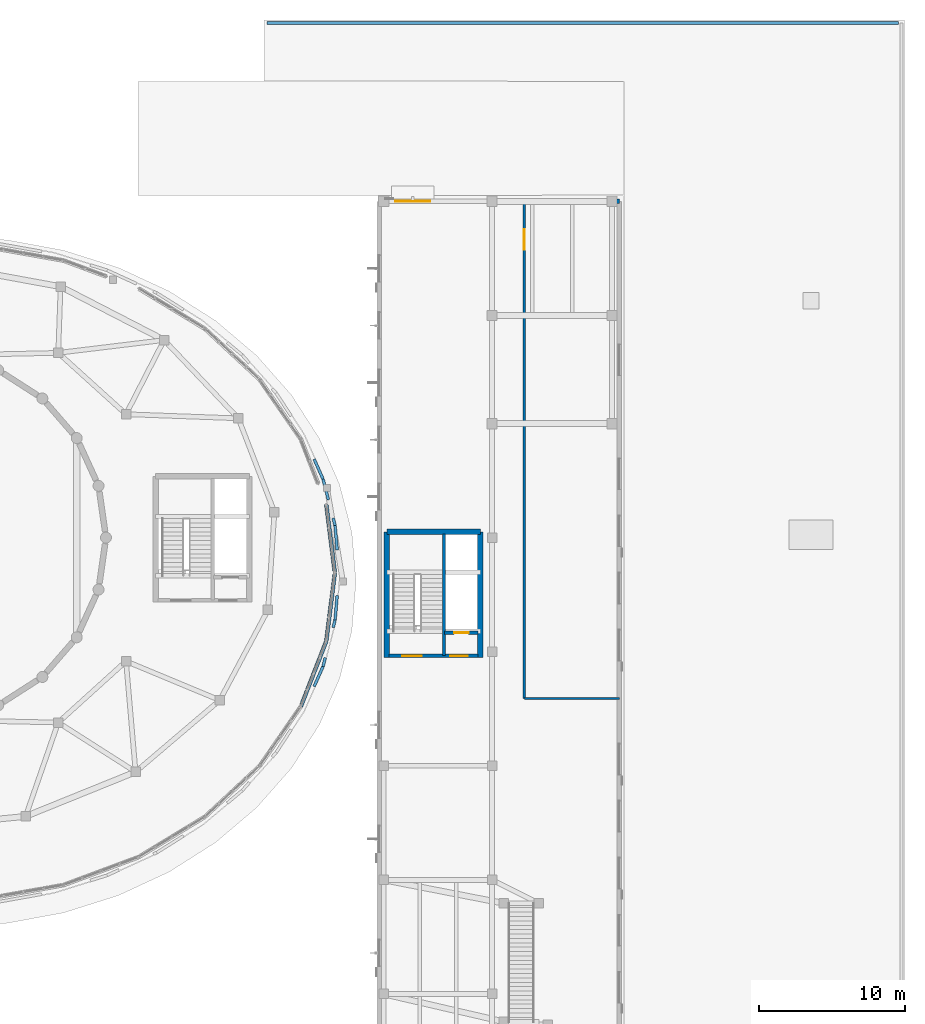
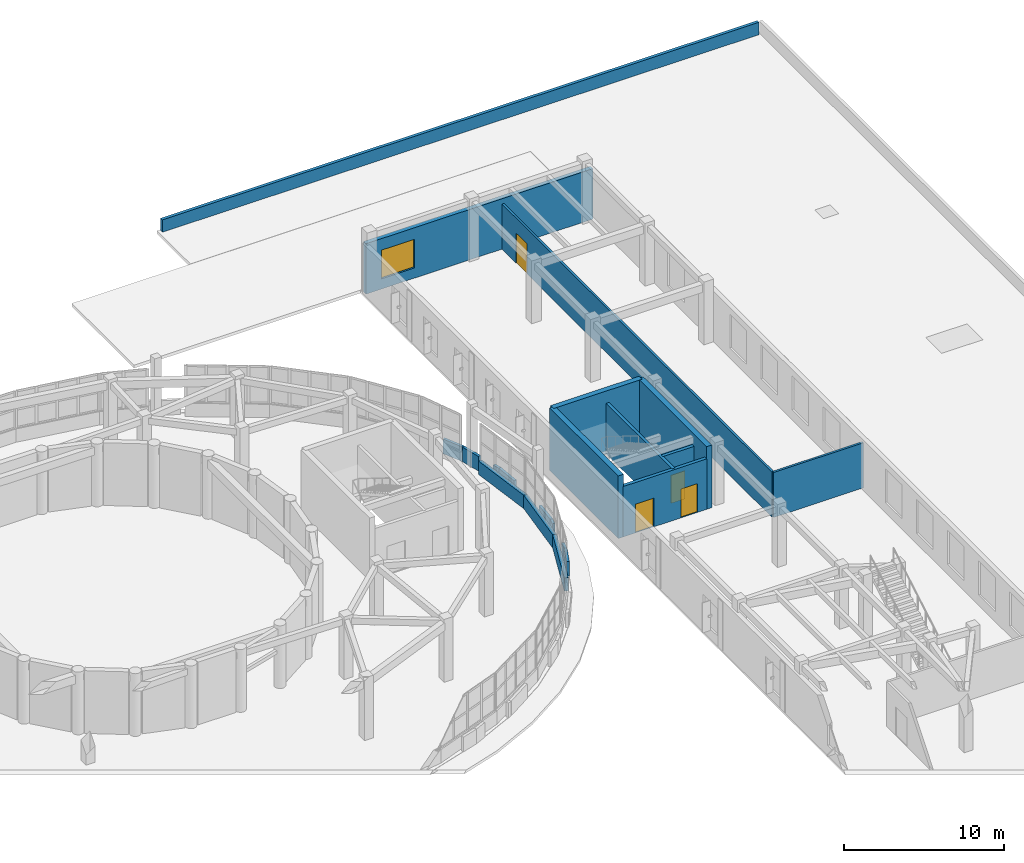
# One storey, part 96 of 105: 21 walls, 4 doors, 1 window, 5 openings.
"""IFC4 building model written with IfcOpenShell, lengths in metres."""

import ifcopenshell
import ifcopenshell.guid

model = None  # the IFC model being written
_history = None  # IfcOwnerHistory: only IFC2X3 demands one
_inside = {}  # id of a spatial element -> (the spatial element, [elements in it])
_under = {}  # id of a project, library or spatial element -> (it, [spatial elements below it])
_declared = {}  # id of a project -> (the project, [libraries it declares])
_typed = {}  # id of a type object -> (the type object, [elements of that type])
_made_of = {}  # id of a material, layer set ... -> (it, [elements and type objects made of it])


def new_model(schema):
    """Start an empty IFC model of exactly this schema.

    Asked for "IFC4X3", IfcOpenShell would pick the latest addendum, in which some entities
    have other attributes; the version numbers below select the first issue.
    IFC2X3 requires an IfcOwnerHistory on every rooted entity: one is made here for all.
    """
    global model, _history
    if schema == "IFC4X3":
        model = ifcopenshell.file(schema_version=(4, 3, 0, 0))
    else:
        model = ifcopenshell.file(schema=schema)
    _inside.clear()
    _under.clear()
    _declared.clear()
    _typed.clear()
    _made_of.clear()
    _history = None
    if model.schema == "IFC2X3":
        org = make("IfcOrganization", Name="unknown")
        user = make(
            "IfcPersonAndOrganization",
            ThePerson=make("IfcPerson", FamilyName="unknown"),
            TheOrganization=org,
        )
        app = make(
            "IfcApplication",
            ApplicationDeveloper=org,
            Version="unknown",
            ApplicationFullName="unknown",
            ApplicationIdentifier="unknown",
        )
        _history = make(
            "IfcOwnerHistory",
            OwningUser=user,
            OwningApplication=app,
            ChangeAction="ADDED",
            CreationDate=0,
        )
    return model


def make(cls, **values):
    """One entity of the class cls with the attributes given. An attribute that is None is left unset."""
    return model.create_entity(
        cls, **{name: value for name, value in values.items() if value is not None}
    )


def rooted(cls, **values):
    """An entity with a GlobalId (a new one), such as an element, a storey or a relation."""
    return make(cls, GlobalId=ifcopenshell.guid.new(), OwnerHistory=_history, **values)


def si_unit(unit_type, name, prefix=None):
    """IfcSIUnit, for example si_unit("LENGTHUNIT", "METRE", prefix="MILLI")."""
    return make("IfcSIUnit", UnitType=unit_type, Prefix=prefix, Name=name)


def assignment(units):
    """IfcUnitAssignment: the units of a project."""
    return None if units is None else make("IfcUnitAssignment", Units=units)


def point(xyz):
    """IfcCartesianPoint."""
    return None if xyz is None else make("IfcCartesianPoint", Coordinates=xyz)


def direction(xyz):
    """IfcDirection."""
    return None if xyz is None else make("IfcDirection", DirectionRatios=xyz)


def frame(location, z_axis=None, x_axis=None):
    """IfcAxis2Placement3D, a coordinate frame: its origin and axes. An axis left out is left unset."""
    return make(
        "IfcAxis2Placement3D",
        Location=point(location),
        Axis=direction(z_axis),
        RefDirection=direction(x_axis),
    )


def frame_2d(location, x_axis=None):
    """IfcAxis2Placement2D, a coordinate frame in the plane: its origin and x axis."""
    return make(
        "IfcAxis2Placement2D", Location=point(location), RefDirection=direction(x_axis)
    )


def origin():
    """The frame at (0, 0, 0) with its axes left unset."""
    return frame((0.0, 0.0, 0.0))


def place(relative_to, where):
    """IfcLocalPlacement: puts the frame where relative to a parent placement (None: the world)."""
    return make(
        "IfcLocalPlacement", PlacementRelTo=relative_to, RelativePlacement=where
    )


def context(
    kind, dimensions, precision=None, world=None, true_north=None, identifier=None
):
    """IfcGeometricRepresentationContext, for example the 3D "Model" context."""
    return make(
        "IfcGeometricRepresentationContext",
        ContextIdentifier=identifier,
        ContextType=kind,
        CoordinateSpaceDimension=dimensions,
        Precision=precision,
        WorldCoordinateSystem=world,
        TrueNorth=true_north,
    )


def subcontext(parent, identifier, kind, view, scale=None):
    """IfcGeometricRepresentationSubContext, for example "Body" below "Model"."""
    return make(
        "IfcGeometricRepresentationSubContext",
        ContextIdentifier=identifier,
        ContextType=kind,
        ParentContext=parent,
        TargetScale=scale,
        TargetView=view,
    )


def project(units=None, contexts=None):
    """IfcProject with its units and contexts."""
    return rooted(
        "IfcProject",
        Name="project",
        RepresentationContexts=contexts,
        UnitsInContext=assignment(units),
    )


def spatial(cls, under=None, at=None, **own):
    """A site, building, storey or space (cls), placed at a placement, below another one or the project."""
    s = rooted(cls, ObjectPlacement=at, **own)
    if under is not None:
        _under.setdefault(under.id(), (under, []))[1].append(s)
    return s


def profile(cls, at=None, kind="AREA", **sizes):
    """A parametric profile (cls). Its sizes go by their IFC names, for example OverallWidth=200.0."""
    return make(cls, ProfileType=kind, Position=at, **sizes)


def rectangle(**sizes):
    """IfcRectangleProfileDef."""
    return profile("IfcRectangleProfileDef", **sizes)


def extrude(swept, where, along, depth):
    """IfcExtrudedAreaSolid: the profile swept, set in the frame where, extruded along a direction by depth."""
    return make(
        "IfcExtrudedAreaSolid",
        SweptArea=swept,
        Position=where,
        ExtrudedDirection=direction(along),
        Depth=depth,
    )


def shape(context_of_items, identifier, shape_type, items):
    """IfcShapeRepresentation: the items that make up one representation, for example the "Body"."""
    return make(
        "IfcShapeRepresentation",
        ContextOfItems=context_of_items,
        RepresentationIdentifier=identifier,
        RepresentationType=shape_type,
        Items=items,
    )


def material(Name=None, Category=None):
    """IfcMaterial."""
    return make("IfcMaterial", Name=Name, Category=Category)


def layer(
    of_material, thickness, ventilated=None, Name=None, Category=None, Priority=None
):
    """IfcMaterialLayer: one layer of a wall or slab, of a material (None: an air gap)."""
    return make(
        "IfcMaterialLayer",
        Material=of_material,
        LayerThickness=thickness,
        IsVentilated=ventilated,
        Name=Name,
        Category=Category,
        Priority=Priority,
    )


def layer_set(layers, Name=None):
    """IfcMaterialLayerSet."""
    return make("IfcMaterialLayerSet", MaterialLayers=layers, LayerSetName=Name)


def made_of(thing, what):
    """Note that an element or type object is made of a material, layer set ...; save() writes the relation."""
    if what is not None:
        _made_of.setdefault(what.id(), (what, []))[1].append(thing)
    return thing


def type_object(cls, material=None, **own):
    """A type object (cls), such as IfcWallType, which elements share."""
    return made_of(rooted(cls, **own), material)


def element(
    cls,
    number,
    at=None,
    inside=None,
    cuts=None,
    type_object=None,
    material=None,
    context=None,
    identifier="Body",
    shape_type=None,
    held_by="IfcProductDefinitionShape",
    body=None,
    shapes=None,
    **own,
):
    """One element of the class cls, such as IfcWall. Its Tag is "e" and its number.

    at: its placement. inside: the storey or other place that contains it. cuts: it is an
    opening in that element (IfcRelVoidsElement). A single representation is given by context,
    identifier, shape_type and body (its items); several are given by shapes. held_by: the class
    of the entity that holds the representations. save() writes the other relations.
    """
    e = rooted(cls, Tag="e%d" % number, ObjectPlacement=at, **own)
    if body is not None:
        shapes = [shape(context, identifier, shape_type, body)]
    if shapes is not None:
        e.Representation = make(held_by, Representations=shapes)
    if inside is not None:
        _inside.setdefault(inside.id(), (inside, []))[1].append(e)
    if cuts is not None:
        rooted(
            "IfcRelVoidsElement", RelatingBuildingElement=cuts, RelatedOpeningElement=e
        )
    if type_object is not None:
        _typed.setdefault(type_object.id(), (type_object, []))[1].append(e)
    return made_of(e, material)


def fill(opening, filler):
    """IfcRelFillsElement: the door or window that sits in an opening."""
    return rooted(
        "IfcRelFillsElement",
        RelatingOpeningElement=opening,
        RelatedBuildingElement=filler,
    )


def aggregate(whole, parts):
    """IfcRelAggregates: a whole, such as a stair, and the parts it consists of."""
    return rooted("IfcRelAggregates", RelatingObject=whole, RelatedObjects=parts)


def save(model, path):
    """Write the relations noted so far, then the file.

    IfcRelAggregates (storeys below a building ...), IfcRelContainedInSpatialStructure (elements
    in a storey), IfcRelDefinesByType, IfcRelAssociatesMaterial and IfcRelDeclares: one each for
    every whole, place, type object, material and project.
    """
    for whole, parts in _under.values():
        aggregate(whole, parts)
    for where, things in _inside.values():
        rooted(
            "IfcRelContainedInSpatialStructure",
            RelatedElements=things,
            RelatingStructure=where,
        )
    for kind, things in _typed.values():
        rooted("IfcRelDefinesByType", RelatedObjects=things, RelatingType=kind)
    for what, things in _made_of.values():
        rooted("IfcRelAssociatesMaterial", RelatedObjects=things, RelatingMaterial=what)
    for by, libraries in _declared.values():
        rooted("IfcRelDeclares", RelatingContext=by, RelatedDefinitions=libraries)
    model.write(path)


model = new_model("IFC4")

# Units and contexts
model_context = context("Model", 3, precision=1e-05, world=origin(), true_north=direction((0.0, 1.0)))
body_context = subcontext(model_context, "Body", "Model", "MODEL_VIEW")
ifc_project = project(units=[si_unit("LENGTHUNIT", "METRE"), si_unit("AREAUNIT", "SQUARE_METRE"), si_unit("VOLUMEUNIT", "CUBIC_METRE"), si_unit("PLANEANGLEUNIT", "RADIAN"), si_unit("MASSUNIT", "GRAM", prefix="KILO")], contexts=[model_context])

# Site, building, storey
site_placement = place(None, origin())
site = spatial("IfcSite", under=ifc_project, at=site_placement, CompositionType="ELEMENT")
building_placement = place(site_placement, origin())
building = spatial("IfcBuilding", under=site, at=building_placement, Name="Pelvatis Terrace Science Centre", CompositionType="ELEMENT")
storey_placement = place(building_placement, frame((0.0, 0.0, 10.199951171875)))
storey = spatial("IfcBuildingStorey", under=building, at=storey_placement, Name="L02", CompositionType="ELEMENT", Elevation=10.199951171875)

# Wall, opening, window
ifc_material_1 = material(Name="Precast concrete C35/45 architectural stone", Category="masonry")
ifc_layer_1 = layer(ifc_material_1, 0.31005859375)
ifc_layer_set_1 = layer_set([ifc_layer_1], Name="Precast concrete C35/45 architectural stone")
wall_type_1 = type_object("IfcWallType", Name="WL-EXT-PREC-310", PredefinedType="SOLIDWALL", material=ifc_layer_set_1)
wall_1_placement = place(storey_placement, frame((140.47998046875, 108.800048828125, 0.0), z_axis=(0.0, 0.0, 1.0), x_axis=(1.0, 0.0, 0.0)))
wall_1 = element("IfcWall", 1, at=wall_1_placement, inside=storey, type_object=wall_type_1, Name="Exterior classical Art Deco facade wall EW-L02-N", PredefinedType="SOLIDWALL", context=body_context, shape_type="SweptSolid", body=[
    extrude(rectangle(XDim=16.419921875, YDim=0.31005859375, at=frame_2d((8.2099609375, 0.0))), origin(), (0.0, 0.0, 1.0), 3.860107421875),
])
opening_1_placement = place(wall_1_placement, frame((1.10009765625, 0.0, 0.780029296875)))
opening_1 = element("IfcOpeningElement", 2, at=opening_1_placement, cuts=wall_1, Name="Opening W-084", PredefinedType="OPENING", context=body_context, shape_type="SweptSolid", body=[
    extrude(rectangle(XDim=2.39990234375, YDim=2.199951171875, at=frame_2d((1.199951171875, 1.10009765625))), frame((0.0, 0.1650390625, 0.0), z_axis=(0.0, -1.0, 0.0), x_axis=(1.0, 0.0, 0.0)), (0.0, 0.0, 1.0), 0.330078125),
])
ifc_material_2 = material(Name="Bronze-anodised aluminium and laminated low-e glass", Category="aluminium")
window_type = type_object("IfcWindowType", Name="WIN-GAL-2400x2200", PartitioningType="SINGLE_PANEL", PredefinedType="WINDOW", material=ifc_material_2)
window_placement = place(opening_1_placement, origin())
window = element("IfcWindow", 3, at=window_placement, inside=storey, type_object=window_type, Name="Art Deco facade window W-084 (L02)", OverallHeight=2.199951171875, OverallWidth=2.39990234375, PartitioningType="SINGLE_PANEL", PredefinedType="WINDOW", context=body_context, shape_type="SweptSolid", body=[
    extrude(rectangle(XDim=2.39990234375, YDim=2.199951171875, at=frame_2d((1.199951171875, 1.10009765625))), frame((0.0, 0.030029296875, 0.0), z_axis=(0.0, -1.0, 0.0), x_axis=(1.0, 0.0, 0.0)), (0.0, 0.0, 1.0), 0.06005859375),
])
fill(opening_1, window)

# Walls
ifc_material_3 = material(Name="White architectural precast concrete C40/50 spandrel", Category="concrete")
ifc_layer_2 = layer(ifc_material_3, 0.260009765625)
ifc_layer_set_2 = layer_set([ifc_layer_2], Name="White architectural precast concrete C40/50 spandrel")
wall_type_2 = type_object("IfcWallType", Name="WL-EXT-SPND-260", PredefinedType="SOLIDWALL", material=ifc_layer_set_2)
wall_2_placement = place(storey_placement, frame((137.449951171875, 83.39990234375, 0.0), z_axis=(0.0, 0.0, 1.0), x_axis=(-0.124705358335, 0.992193818567, 0.0)))
element("IfcWall", 4, at=wall_2_placement, inside=storey, type_object=wall_type_2, Name="V1 white spiral spandrel band 01 (L02)", PredefinedType="SOLIDWALL", context=body_context, shape_type="SweptSolid", body=[
    extrude(rectangle(XDim=4.704345703125, YDim=0.260009765625, at=frame_2d((2.35205078125, 0.0))), origin(), (0.0, 0.0, 1.0), 1.02001953125),
])
wall_3_placement = place(storey_placement, frame((135.128662109375, 74.268798828125, 0.0), z_axis=(0.0, 0.0, 1.0), x_axis=(0.362222370207, 0.932091709287, 0.0)))
element("IfcWall", 5, at=wall_3_placement, inside=storey, type_object=wall_type_2, Name="V1 white spiral spandrel band 29 (L02)", PredefinedType="SOLIDWALL", context=body_context, shape_type="SweptSolid", body=[
    extrude(rectangle(XDim=4.788818359375, YDim=0.260009765625, at=frame_2d((2.39453125, 0.0))), origin(), (0.0, 0.0, 1.0), 1.02001953125),
])
wall_4_placement = place(storey_placement, frame((136.86328125, 78.732421875, 0.0), z_axis=(0.0, 0.0, 1.0), x_axis=(0.124711779816, 0.992193011452, 0.0)))
element("IfcWall", 6, at=wall_4_placement, inside=storey, type_object=wall_type_2, Name="V1 white spiral spandrel band 30 (L02)", PredefinedType="SOLIDWALL", context=body_context, shape_type="SweptSolid", body=[
    extrude(rectangle(XDim=4.7041015625, YDim=0.260009765625, at=frame_2d((2.35205078125, 0.0))), origin(), (0.0, 0.0, 1.0), 1.02001953125),
])
ifc_material_4 = material(Name="Concrete C35/45 shaft dividing wall", Category="concrete")
ifc_layer_3 = layer(ifc_material_4, 0.2099609375)
ifc_layer_set_3 = layer_set([ifc_layer_3], Name="Concrete C35/45 shaft dividing wall")
wall_type_3 = type_object("IfcWallType", Name="WL-INT-CORE-210", PredefinedType="PARTITIONING", material=ifc_layer_set_3)
wall_5_placement = place(storey_placement, frame((144.89990234375, 77.75, 0.0), z_axis=(0.0, 0.0, 1.0), x_axis=(0.0, 1.0, 0.0)))
element("IfcWall", 7, at=wall_5_placement, inside=storey, type_object=wall_type_3, Name="Core C3 stair-lift shaft fire wall (L02)", PredefinedType="PARTITIONING", context=body_context, shape_type="SweptSolid", body=[
    extrude(rectangle(XDim=8.300048828125, YDim=0.2099609375, at=frame_2d((4.14990234375, 0.0))), origin(), (0.0, 0.0, 1.0), 3.860107421875),
])

# Wall, opening, door
ifc_material_5 = material(Name="Concrete C35/45 stair enclosure wall", Category="concrete")
ifc_layer_4 = layer(ifc_material_5, 0.22509765625)
ifc_layer_set_4 = layer_set([ifc_layer_4], Name="Concrete C35/45 stair enclosure wall")
wall_type_4 = type_object("IfcWallType", Name="WL-INT-CORE-225", PredefinedType="PARTITIONING", material=ifc_layer_set_4)
wall_6_placement = place(storey_placement, frame((144.949951171875, 79.300048828125, 0.0), z_axis=(0.0, 0.0, 1.0), x_axis=(1.0, 0.0, 0.0)))
wall_6 = element("IfcWall", 8, at=wall_6_placement, inside=storey, type_object=wall_type_4, Name="Core C3 lift shaft landing wall (L02)", PredefinedType="PARTITIONING", context=body_context, shape_type="SweptSolid", body=[
    extrude(rectangle(XDim=2.300048828125, YDim=0.22509765625, at=frame_2d((1.14990234375, 0.0))), origin(), (0.0, 0.0, 1.0), 3.860107421875),
])
opening_2_placement = place(wall_6_placement, frame((0.64990234375, 0.0, 0.0)))
opening_2 = element("IfcOpeningElement", 9, at=opening_2_placement, cuts=wall_6, Name="Opening LD-C3-4", PredefinedType="OPENING", context=body_context, shape_type="SweptSolid", body=[
    extrude(rectangle(XDim=1.0, YDim=2.14990234375, at=frame_2d((0.5, 1.074951171875))), frame((0.0, 0.12255859375, 0.0), z_axis=(0.0, -1.0, 0.0), x_axis=(1.0, 0.0, 0.0)), (0.0, 0.0, 1.0), 0.2451171875),
])
ifc_material_6 = material(Name="Bronze-clad sliding passenger lift landing door", Category="steel")
door_type_1 = type_object("IfcDoorType", Name="DR-LIFT-1000x2150", OperationType="NOTDEFINED", PredefinedType="DOOR", material=ifc_material_6)
door_1_placement = place(opening_2_placement, origin())
door_1 = element("IfcDoor", 10, at=door_1_placement, inside=storey, type_object=door_type_1, Name="Lift LF-05 sliding landing door (L02)", OperationType="SLIDING_TO_RIGHT", OverallHeight=2.14990234375, OverallWidth=1.0, PredefinedType="DOOR", context=body_context, shape_type="SweptSolid", body=[
    extrude(rectangle(XDim=1.0, YDim=2.14990234375, at=frame_2d((0.5, 1.074951171875))), frame((0.0, 0.02490234375, 0.0), z_axis=(0.0, -1.0, 0.0), x_axis=(1.0, 0.0, 0.0)), (0.0, 0.0, 1.0), 0.050048828125),
])
fill(opening_2, door_1)

# Wall, openings, doors
ifc_material_7 = material(Name="Concrete C35/45 shaft enclosure wall", Category="concrete")
ifc_layer_5 = layer(ifc_material_7, 0.239990234375)
ifc_layer_set_5 = layer_set([ifc_layer_5], Name="Concrete C35/45 shaft enclosure wall")
wall_type_5 = type_object("IfcWallType", Name="WL-INT-CORE-240", PredefinedType="PARTITIONING", material=ifc_layer_set_5)
wall_7_placement = place(storey_placement, frame((141.14990234375, 77.719970703125, 0.0), z_axis=(0.0, 0.0, 1.0), x_axis=(1.0, 0.0, 0.0)))
wall_7 = element("IfcWall", 11, at=wall_7_placement, inside=storey, type_object=wall_type_5, Name="Core C3 fire-rated lobby wall (L02)", PredefinedType="PARTITIONING", context=body_context, shape_type="SweptSolid", body=[
    extrude(rectangle(XDim=6.10009765625, YDim=0.239990234375, at=frame_2d((3.050048828125, 0.0))), origin(), (0.0, 0.0, 1.0), 3.860107421875),
])
opening_3_placement = place(wall_7_placement, frame((0.89990234375, 0.0, 0.0)))
opening_3 = element("IfcOpeningElement", 12, at=opening_3_placement, cuts=wall_7, Name="Opening D-135", PredefinedType="OPENING", context=body_context, shape_type="SweptSolid", body=[
    extrude(rectangle(XDim=1.35009765625, YDim=2.199951171875, at=frame_2d((0.675048828125, 1.10009765625))), frame((0.0, 0.1298828125, 0.0), z_axis=(0.0, -1.0, 0.0), x_axis=(1.0, 0.0, 0.0)), (0.0, 0.0, 1.0), 0.260009765625),
])
opening_4_placement = place(wall_7_placement, frame((4.199951171875, 0.0, 0.0)))
opening_4 = element("IfcOpeningElement", 13, at=opening_4_placement, cuts=wall_7, Name="Opening D-136", PredefinedType="OPENING", context=body_context, shape_type="SweptSolid", body=[
    extrude(rectangle(XDim=1.199951171875, YDim=2.199951171875, at=frame_2d((0.60009765625, 1.10009765625))), frame((0.0, 0.1298828125, 0.0), z_axis=(0.0, -1.0, 0.0), x_axis=(1.0, 0.0, 0.0)), (0.0, 0.0, 1.0), 0.260009765625),
])
ifc_material_8 = material(Name="Steel fire-rated exit stair door", Category="steel")
door_type_2 = type_object("IfcDoorType", Name="DR-STAIR-1200x2200", OperationType="NOTDEFINED", PredefinedType="DOOR", material=ifc_material_8)
door_2_placement = place(opening_4_placement, origin())
door_2 = element("IfcDoor", 14, at=door_2_placement, inside=storey, type_object=door_type_2, Name="Core C3 lift lobby fire door (L02)", OperationType="SINGLE_SWING_LEFT", OverallHeight=2.199951171875, OverallWidth=1.199951171875, PredefinedType="DOOR", context=body_context, shape_type="SweptSolid", body=[
    extrude(rectangle(XDim=1.199951171875, YDim=2.199951171875, at=frame_2d((0.60009765625, 1.10009765625))), frame((0.0, 0.02490234375, 0.0), z_axis=(0.0, -1.0, 0.0), x_axis=(1.0, 0.0, 0.0)), (0.0, 0.0, 1.0), 0.050048828125),
])
fill(opening_4, door_2)
ifc_material_9 = material(Name="Steel fire-rated protected stair door", Category="steel")
door_type_3 = type_object("IfcDoorType", Name="DR-STAIR-1350x2200", OperationType="NOTDEFINED", PredefinedType="DOOR", material=ifc_material_9)
door_3_placement = place(opening_3_placement, origin())
door_3 = element("IfcDoor", 15, at=door_3_placement, inside=storey, type_object=door_type_3, Name="Core C3 protected stair fire door (L02)", OperationType="SINGLE_SWING_RIGHT", OverallHeight=2.199951171875, OverallWidth=1.35009765625, PredefinedType="DOOR", context=body_context, shape_type="SweptSolid", body=[
    extrude(rectangle(XDim=1.35009765625, YDim=2.199951171875, at=frame_2d((0.675048828125, 1.10009765625))), frame((0.0, 0.02490234375, 0.0), z_axis=(0.0, -1.0, 0.0), x_axis=(1.0, 0.0, 0.0)), (0.0, 0.0, 1.0), 0.050048828125),
])
fill(opening_3, door_3)

# Wall
ifc_material_10 = material(Name="Exhibition gallery display partition", Category="masonry")
ifc_layer_6 = layer(ifc_material_10, 0.155029296875)
ifc_layer_set_6 = layer_set([ifc_layer_6], Name="Exhibition gallery display partition")
wall_type_6 = type_object("IfcWallType", Name="WL-INT-GAL-155", PredefinedType="PARTITIONING", material=ifc_layer_set_6)
wall_8_placement = place(storey_placement, frame((150.39990234375, 74.800048828125, 0.0), z_axis=(0.0, 0.0, 1.0), x_axis=(1.0, 0.0, 0.0)))
element("IfcWall", 16, at=wall_8_placement, inside=storey, type_object=wall_type_6, Name="Natural History Reference Library and Reading Room partition wall S", PredefinedType="PARTITIONING", context=body_context, shape_type="SweptSolid", body=[
    extrude(rectangle(XDim=6.5, YDim=0.155029296875, at=frame_2d((3.25, 0.0))), origin(), (0.0, 0.0, 1.0), 3.449951171875),
])

# Wall, opening, door
wall_9_placement = place(storey_placement, frame((150.39990234375, 108.800048828125, 0.0), z_axis=(0.0, 0.0, 1.0), x_axis=(0.0, -1.0, 0.0)))
wall_9 = element("IfcWall", 17, at=wall_9_placement, inside=storey, type_object=wall_type_6, Name="Natural History Reference Library and Reading Room partition wall W", PredefinedType="PARTITIONING", context=body_context, shape_type="SweptSolid", body=[
    extrude(rectangle(XDim=34.0, YDim=0.155029296875, at=frame_2d((17.0, 0.0))), origin(), (0.0, 0.0, 1.0), 3.449951171875),
])
opening_5_placement = place(wall_9_placement, frame((1.89990234375, 0.0, 0.0)))
opening_5 = element("IfcOpeningElement", 18, at=opening_5_placement, cuts=wall_9, Name="Opening D-208", PredefinedType="OPENING", context=body_context, shape_type="SweptSolid", body=[
    extrude(rectangle(XDim=1.39990234375, YDim=2.300048828125, at=frame_2d((0.699951171875, 1.14990234375))), frame((0.0, 0.08740234375, 0.0), z_axis=(0.0, -1.0, 0.0), x_axis=(1.0, 0.0, 0.0)), (0.0, 0.0, 1.0), 0.175048828125),
])
ifc_material_11 = material(Name="Glazed timber reference library double door", Category="wood")
door_type_4 = type_object("IfcDoorType", Name="DR-LIB-1400x2300", OperationType="NOTDEFINED", PredefinedType="DOOR", material=ifc_material_11)
door_4_placement = place(opening_5_placement, origin())
door_4 = element("IfcDoor", 19, at=door_4_placement, inside=storey, type_object=door_type_4, Name="Natural History Reference Library and Reading Room entrance door", OperationType="SINGLE_SWING_LEFT", OverallHeight=2.300048828125, OverallWidth=1.39990234375, PredefinedType="DOOR", context=body_context, shape_type="SweptSolid", body=[
    extrude(rectangle(XDim=1.39990234375, YDim=2.300048828125, at=frame_2d((0.699951171875, 1.14990234375))), frame((0.0, 0.02490234375, 0.0), z_axis=(0.0, -1.0, 0.0), x_axis=(1.0, 0.0, 0.0)), (0.0, 0.0, 1.0), 0.050048828125),
])
fill(opening_5, door_4)

# Walls
ifc_material_12 = material(Name="White architectural precast concrete C40/50 spandrel parapet", Category="concrete")
ifc_layer_7 = layer(ifc_material_12, 0.18994140625)
ifc_layer_set_7 = layer_set([ifc_layer_7], Name="White architectural precast concrete C40/50 spandrel parapet")
wall_type_7 = type_object("IfcWallType", Name="WL-PAR-190", PredefinedType="PARAPET", material=ifc_layer_set_7)
wall_10_placement = place(storey_placement, frame((136.031494140625, 91.17431640625, 0.0), z_axis=(0.0, 0.0, 1.0), x_axis=(0.406531024131, -0.913636977371, 0.0)))
element("IfcWall", 20, at=wall_10_placement, inside=storey, type_object=wall_type_7, Name="Perimeter edge closure parapet PW-EDG-L02-267", PredefinedType="PARAPET", context=body_context, shape_type="SweptSolid", body=[
    extrude(rectangle(XDim=1.500244140625, YDim=0.18994140625, at=frame_2d((0.75, 0.0))), origin(), (0.0, 0.0, 1.0), 1.1201171875),
])
wall_11_placement = place(storey_placement, frame((136.641357421875, 89.8037109375, 0.0), z_axis=(0.0, 0.0, 1.0), x_axis=(0.251228104752, -0.96792791022, 0.0)))
element("IfcWall", 21, at=wall_11_placement, inside=storey, type_object=wall_type_7, Name="Perimeter edge closure parapet PW-EDG-L02-268", PredefinedType="PARAPET", context=body_context, shape_type="SweptSolid", body=[
    extrude(rectangle(XDim=1.465576171875, YDim=0.18994140625, at=frame_2d((0.73291015625, 0.0))), origin(), (0.0, 0.0, 1.0), 1.1201171875),
])
wall_12_placement = place(storey_placement, frame((137.332763671875, 87.1396484375, 0.0), z_axis=(0.0, 0.0, 1.0), x_axis=(0.250783542322, -0.968043188551, 0.0)))
element("IfcWall", 22, at=wall_12_placement, inside=storey, type_object=wall_type_7, Name="Perimeter edge closure parapet PW-EDG-L02-269", PredefinedType="PARAPET", context=body_context, shape_type="SweptSolid", body=[
    extrude(rectangle(XDim=0.521728515625, YDim=0.18994140625, at=frame_2d((0.2607421875, 0.0))), origin(), (0.0, 0.0, 1.0), 1.1201171875),
])
for number, where, z_axis, x_axis, name in (
    (23, (137.463623046875, 86.634521484375, 0.0), (0.0, 0.0, 1.0), (0.085137410695, -0.996369219366, 0.0), "Perimeter edge closure parapet PW-EDG-L02-270"),
    (24, (137.606689453125, 81.839599609375, 0.0), (0.0, 0.0, 1.0), (-0.085137410695, -0.996369219366, 0.0), "Perimeter edge closure parapet PW-EDG-L02-271"),
):
    element("IfcWall", number, at=place(storey_placement, frame(where, z_axis=z_axis, x_axis=x_axis)), inside=storey, type_object=wall_type_7, Name=name, PredefinedType="PARAPET", context=body_context, shape_type="SweptSolid", body=[
        extrude(rectangle(XDim=1.680419921875, YDim=0.18994140625, at=frame_2d((0.84033203125, 0.0))), origin(), (0.0, 0.0, 1.0), 1.1201171875),
    ])
wall_13_placement = place(storey_placement, frame((137.463623046875, 80.165283203125, 0.0), z_axis=(0.0, 0.0, 1.0), x_axis=(-0.250897178901, -0.968013742475, 0.0)))
element("IfcWall", 25, at=wall_13_placement, inside=storey, type_object=wall_type_7, Name="Perimeter edge closure parapet PW-EDG-L02-272", PredefinedType="PARAPET", context=body_context, shape_type="SweptSolid", body=[
    extrude(rectangle(XDim=0.521484375, YDim=0.18994140625, at=frame_2d((0.2607421875, 0.0))), origin(), (0.0, 0.0, 1.0), 1.1201171875),
])
wall_14_placement = place(storey_placement, frame((136.796630859375, 77.594482421875, 0.0), z_axis=(0.0, 0.0, 1.0), x_axis=(-0.251263780133, -0.967918649884, 0.0)))
element("IfcWall", 26, at=wall_14_placement, inside=storey, type_object=wall_type_7, Name="Perimeter edge closure parapet PW-EDG-L02-273", PredefinedType="PARAPET", context=body_context, shape_type="SweptSolid", body=[
    extrude(rectangle(XDim=0.617919921875, YDim=0.18994140625, at=frame_2d((0.30908203125, 0.0))), origin(), (0.0, 0.0, 1.0), 1.1201171875),
])
wall_15_placement = place(storey_placement, frame((136.641357421875, 76.996337890625, 0.0), z_axis=(0.0, 0.0, 1.0), x_axis=(-0.406591478377, -0.913610075312, 0.0)))
element("IfcWall", 27, at=wall_15_placement, inside=storey, type_object=wall_type_7, Name="Perimeter edge closure parapet PW-EDG-L02-274", PredefinedType="PARAPET", context=body_context, shape_type="SweptSolid", body=[
    extrude(rectangle(XDim=1.5, YDim=0.18994140625, at=frame_2d((0.75, 0.0))), origin(), (0.0, 0.0, 1.0), 1.1201171875),
])
ifc_material_13 = material(Name="Precast concrete C35/45 coping parapet", Category="concrete")
ifc_layer_8 = layer(ifc_material_13, 0.219970703125)
ifc_layer_set_8 = layer_set([ifc_layer_8], Name="Precast concrete C35/45 coping parapet")
wall_type_8 = type_object("IfcWallType", Name="WL-PAR-220", PredefinedType="PARAPET", material=ifc_layer_set_8)
wall_16_placement = place(storey_placement, frame((132.800048828125, 121.0, 0.0), z_axis=(0.0, 0.0, 1.0), x_axis=(1.0, 0.0, 0.0)))
element("IfcWall", 28, at=wall_16_placement, inside=storey, type_object=wall_type_8, Name="Classical cornice parapet PW-L02-3", PredefinedType="PARAPET", context=body_context, shape_type="SweptSolid", body=[
    extrude(rectangle(XDim=43.199951171875, YDim=0.219970703125, at=frame_2d((21.60009765625, 0.0))), origin(), (0.0, 0.0, 1.0), 0.949951171875),
])
ifc_material_14 = material(Name="Concrete C40/50", Category="concrete")
ifc_layer_9 = layer(ifc_material_14, 0.3798828125)
ifc_layer_set_9 = layer_set([ifc_layer_9], Name="Concrete C40/50")
wall_type_9 = type_object("IfcWallType", Name="WL-SHR-380", PredefinedType="SHEAR", material=ifc_layer_set_9)
wall_17_placement = place(storey_placement, frame((141.0, 86.199951171875, 0.0), z_axis=(0.0, 0.0, 1.0), x_axis=(1.0, 0.0, 0.0)))
element("IfcWall", 29, at=wall_17_placement, inside=storey, type_object=wall_type_9, Name="Core C3 shear wall N (L02)", PredefinedType="SHEAR", context=body_context, shape_type="SweptSolid", body=[
    extrude(rectangle(XDim=6.39990234375, YDim=0.3798828125, at=frame_2d((3.199951171875, 0.0))), origin(), (0.0, 0.0, 1.0), 4.800048828125),
])
for number, where, z_axis, x_axis, name in (
    (30, (141.0, 77.60009765625, 0.0), (0.0, 0.0, 1.0), (0.0, 1.0, 0.0), "Core C3 shear wall W (L02)"),
    (31, (147.39990234375, 77.60009765625, 0.0), (0.0, 0.0, 1.0), (0.0, 1.0, 0.0), "Core C3 shear wall E (L02)"),
):
    element("IfcWall", number, at=place(storey_placement, frame(where, z_axis=z_axis, x_axis=x_axis)), inside=storey, type_object=wall_type_9, Name=name, PredefinedType="SHEAR", context=body_context, shape_type="SweptSolid", body=[
        extrude(rectangle(XDim=8.599853515625, YDim=0.3798828125, at=frame_2d((4.2998046875, 0.0))), origin(), (0.0, 0.0, 1.0), 4.800048828125),
    ])

save(model, "model.ifc")
